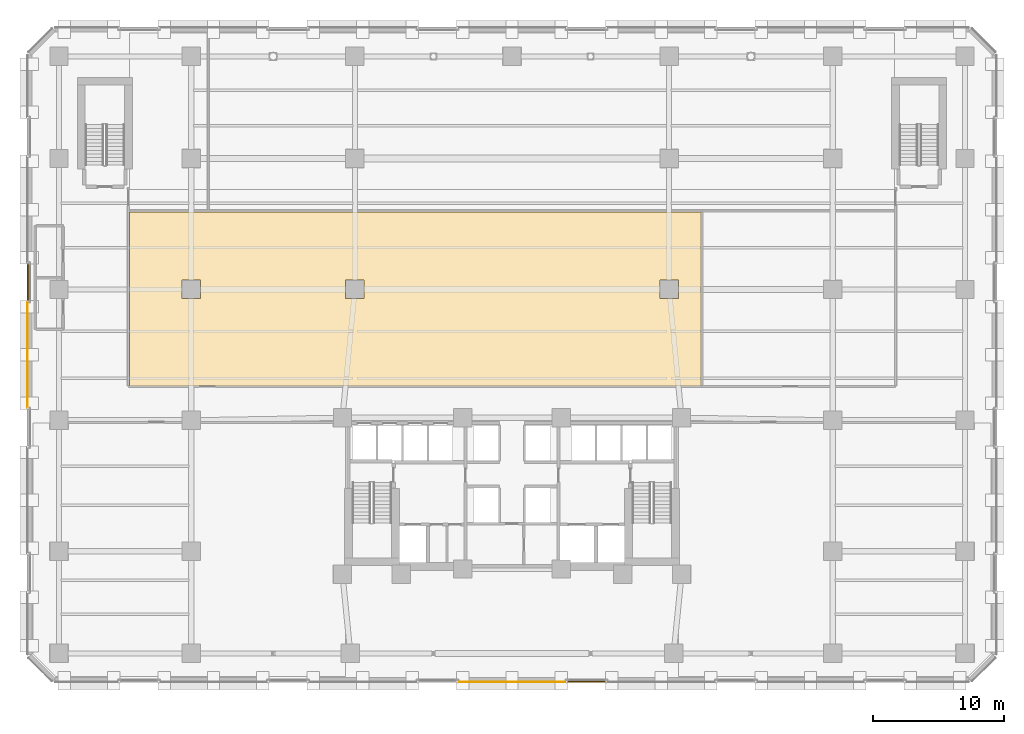
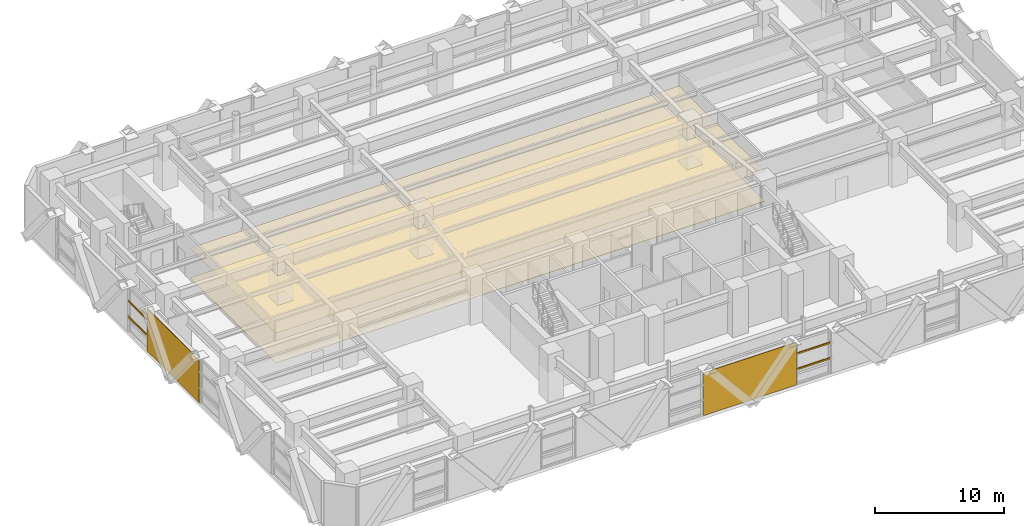
# One storey, part 21 of 26: 4 coverings, 4 shading devices.
"""IFC4 building model written with IfcOpenShell, lengths in metres."""

import ifcopenshell
import ifcopenshell.guid

model = None  # the IFC model being written
_history = None  # IfcOwnerHistory: only IFC2X3 demands one
_inside = {}  # id of a spatial element -> (the spatial element, [elements in it])
_under = {}  # id of a project, library or spatial element -> (it, [spatial elements below it])
_declared = {}  # id of a project -> (the project, [libraries it declares])
_typed = {}  # id of a type object -> (the type object, [elements of that type])
_made_of = {}  # id of a material, layer set ... -> (it, [elements and type objects made of it])


def new_model(schema):
    """Start an empty IFC model of exactly this schema.

    Asked for "IFC4X3", IfcOpenShell would pick the latest addendum, in which some entities
    have other attributes; the version numbers below select the first issue.
    IFC2X3 requires an IfcOwnerHistory on every rooted entity: one is made here for all.
    """
    global model, _history
    if schema == "IFC4X3":
        model = ifcopenshell.file(schema_version=(4, 3, 0, 0))
    else:
        model = ifcopenshell.file(schema=schema)
    _inside.clear()
    _under.clear()
    _declared.clear()
    _typed.clear()
    _made_of.clear()
    _history = None
    if model.schema == "IFC2X3":
        org = make("IfcOrganization", Name="unknown")
        user = make(
            "IfcPersonAndOrganization",
            ThePerson=make("IfcPerson", FamilyName="unknown"),
            TheOrganization=org,
        )
        app = make(
            "IfcApplication",
            ApplicationDeveloper=org,
            Version="unknown",
            ApplicationFullName="unknown",
            ApplicationIdentifier="unknown",
        )
        _history = make(
            "IfcOwnerHistory",
            OwningUser=user,
            OwningApplication=app,
            ChangeAction="ADDED",
            CreationDate=0,
        )
    return model


def make(cls, **values):
    """One entity of the class cls with the attributes given. An attribute that is None is left unset."""
    return model.create_entity(
        cls, **{name: value for name, value in values.items() if value is not None}
    )


def rooted(cls, **values):
    """An entity with a GlobalId (a new one), such as an element, a storey or a relation."""
    return make(cls, GlobalId=ifcopenshell.guid.new(), OwnerHistory=_history, **values)


def si_unit(unit_type, name, prefix=None):
    """IfcSIUnit, for example si_unit("LENGTHUNIT", "METRE", prefix="MILLI")."""
    return make("IfcSIUnit", UnitType=unit_type, Prefix=prefix, Name=name)


def assignment(units):
    """IfcUnitAssignment: the units of a project."""
    return None if units is None else make("IfcUnitAssignment", Units=units)


def point(xyz):
    """IfcCartesianPoint."""
    return None if xyz is None else make("IfcCartesianPoint", Coordinates=xyz)


def direction(xyz):
    """IfcDirection."""
    return None if xyz is None else make("IfcDirection", DirectionRatios=xyz)


def frame(location, z_axis=None, x_axis=None):
    """IfcAxis2Placement3D, a coordinate frame: its origin and axes. An axis left out is left unset."""
    return make(
        "IfcAxis2Placement3D",
        Location=point(location),
        Axis=direction(z_axis),
        RefDirection=direction(x_axis),
    )


def frame_2d(location, x_axis=None):
    """IfcAxis2Placement2D, a coordinate frame in the plane: its origin and x axis."""
    return make(
        "IfcAxis2Placement2D", Location=point(location), RefDirection=direction(x_axis)
    )


def origin():
    """The frame at (0, 0, 0) with its axes left unset."""
    return frame((0.0, 0.0, 0.0))


def origin_2d():
    """The frame at (0, 0) in the plane with its x axis left unset."""
    return frame_2d((0.0, 0.0))


def place(relative_to, where):
    """IfcLocalPlacement: puts the frame where relative to a parent placement (None: the world)."""
    return make(
        "IfcLocalPlacement", PlacementRelTo=relative_to, RelativePlacement=where
    )


def context(
    kind, dimensions, precision=None, world=None, true_north=None, identifier=None
):
    """IfcGeometricRepresentationContext, for example the 3D "Model" context."""
    return make(
        "IfcGeometricRepresentationContext",
        ContextIdentifier=identifier,
        ContextType=kind,
        CoordinateSpaceDimension=dimensions,
        Precision=precision,
        WorldCoordinateSystem=world,
        TrueNorth=true_north,
    )


def subcontext(parent, identifier, kind, view, scale=None):
    """IfcGeometricRepresentationSubContext, for example "Body" below "Model"."""
    return make(
        "IfcGeometricRepresentationSubContext",
        ContextIdentifier=identifier,
        ContextType=kind,
        ParentContext=parent,
        TargetScale=scale,
        TargetView=view,
    )


def project(units=None, contexts=None):
    """IfcProject with its units and contexts."""
    return rooted(
        "IfcProject",
        Name="project",
        RepresentationContexts=contexts,
        UnitsInContext=assignment(units),
    )


def spatial(cls, under=None, at=None, **own):
    """A site, building, storey or space (cls), placed at a placement, below another one or the project."""
    s = rooted(cls, ObjectPlacement=at, **own)
    if under is not None:
        _under.setdefault(under.id(), (under, []))[1].append(s)
    return s


def polyline(points):
    """IfcPolyline through the points."""
    return make("IfcPolyline", Points=[point(p) for p in points])


def profile(cls, at=None, kind="AREA", **sizes):
    """A parametric profile (cls). Its sizes go by their IFC names, for example OverallWidth=200.0."""
    return make(cls, ProfileType=kind, Position=at, **sizes)


def rectangle(**sizes):
    """IfcRectangleProfileDef."""
    return profile("IfcRectangleProfileDef", **sizes)


def outline(outer, holes=None, kind="AREA"):
    """IfcArbitraryClosedProfileDef: a profile drawn as a closed curve; with holes, ...WithVoids."""
    if holes is None:
        return make("IfcArbitraryClosedProfileDef", ProfileType=kind, OuterCurve=outer)
    return make(
        "IfcArbitraryProfileDefWithVoids",
        ProfileType=kind,
        OuterCurve=outer,
        InnerCurves=holes,
    )


def extrude(swept, where, along, depth):
    """IfcExtrudedAreaSolid: the profile swept, set in the frame where, extruded along a direction by depth."""
    return make(
        "IfcExtrudedAreaSolid",
        SweptArea=swept,
        Position=where,
        ExtrudedDirection=direction(along),
        Depth=depth,
    )


def shape(context_of_items, identifier, shape_type, items):
    """IfcShapeRepresentation: the items that make up one representation, for example the "Body"."""
    return make(
        "IfcShapeRepresentation",
        ContextOfItems=context_of_items,
        RepresentationIdentifier=identifier,
        RepresentationType=shape_type,
        Items=items,
    )


def material(Name=None, Category=None):
    """IfcMaterial."""
    return make("IfcMaterial", Name=Name, Category=Category)


def layer(
    of_material, thickness, ventilated=None, Name=None, Category=None, Priority=None
):
    """IfcMaterialLayer: one layer of a wall or slab, of a material (None: an air gap)."""
    return make(
        "IfcMaterialLayer",
        Material=of_material,
        LayerThickness=thickness,
        IsVentilated=ventilated,
        Name=Name,
        Category=Category,
        Priority=Priority,
    )


def layer_set(layers, Name=None):
    """IfcMaterialLayerSet."""
    return make("IfcMaterialLayerSet", MaterialLayers=layers, LayerSetName=Name)


def material_profile(
    of_material, cross_section, Name=None, Category=None, Priority=None
):
    """IfcMaterialProfile: a cross section and its material."""
    return make(
        "IfcMaterialProfile",
        Name=Name,
        Material=of_material,
        Profile=cross_section,
        Priority=Priority,
        Category=Category,
    )


def profile_set(profiles, Name=None, composite=None):
    """IfcMaterialProfileSet."""
    return make(
        "IfcMaterialProfileSet",
        Name=Name,
        MaterialProfiles=profiles,
        CompositeProfile=composite,
    )


def made_of(thing, what):
    """Note that an element or type object is made of a material, layer set ...; save() writes the relation."""
    if what is not None:
        _made_of.setdefault(what.id(), (what, []))[1].append(thing)
    return thing


def type_object(cls, material=None, **own):
    """A type object (cls), such as IfcWallType, which elements share."""
    return made_of(rooted(cls, **own), material)


def element(
    cls,
    number,
    at=None,
    inside=None,
    cuts=None,
    type_object=None,
    material=None,
    context=None,
    identifier="Body",
    shape_type=None,
    held_by="IfcProductDefinitionShape",
    body=None,
    shapes=None,
    **own,
):
    """One element of the class cls, such as IfcWall. Its Tag is "e" and its number.

    at: its placement. inside: the storey or other place that contains it. cuts: it is an
    opening in that element (IfcRelVoidsElement). A single representation is given by context,
    identifier, shape_type and body (its items); several are given by shapes. held_by: the class
    of the entity that holds the representations. save() writes the other relations.
    """
    e = rooted(cls, Tag="e%d" % number, ObjectPlacement=at, **own)
    if body is not None:
        shapes = [shape(context, identifier, shape_type, body)]
    if shapes is not None:
        e.Representation = make(held_by, Representations=shapes)
    if inside is not None:
        _inside.setdefault(inside.id(), (inside, []))[1].append(e)
    if cuts is not None:
        rooted(
            "IfcRelVoidsElement", RelatingBuildingElement=cuts, RelatedOpeningElement=e
        )
    if type_object is not None:
        _typed.setdefault(type_object.id(), (type_object, []))[1].append(e)
    return made_of(e, material)


def aggregate(whole, parts):
    """IfcRelAggregates: a whole, such as a stair, and the parts it consists of."""
    return rooted("IfcRelAggregates", RelatingObject=whole, RelatedObjects=parts)


def save(model, path):
    """Write the relations noted so far, then the file.

    IfcRelAggregates (storeys below a building ...), IfcRelContainedInSpatialStructure (elements
    in a storey), IfcRelDefinesByType, IfcRelAssociatesMaterial and IfcRelDeclares: one each for
    every whole, place, type object, material and project.
    """
    for whole, parts in _under.values():
        aggregate(whole, parts)
    for where, things in _inside.values():
        rooted(
            "IfcRelContainedInSpatialStructure",
            RelatedElements=things,
            RelatingStructure=where,
        )
    for kind, things in _typed.values():
        rooted("IfcRelDefinesByType", RelatedObjects=things, RelatingType=kind)
    for what, things in _made_of.values():
        rooted("IfcRelAssociatesMaterial", RelatedObjects=things, RelatingMaterial=what)
    for by, libraries in _declared.values():
        rooted("IfcRelDeclares", RelatingContext=by, RelatedDefinitions=libraries)
    model.write(path)


model = new_model("IFC4")

# Units and contexts
model_context = context("Model", 3, precision=1e-05, world=origin(), true_north=direction((0.0, 1.0)))
body_context = subcontext(model_context, "Body", "Model", "MODEL_VIEW")
ifc_project = project(units=[si_unit("LENGTHUNIT", "METRE"), si_unit("AREAUNIT", "SQUARE_METRE"), si_unit("VOLUMEUNIT", "CUBIC_METRE"), si_unit("PLANEANGLEUNIT", "RADIAN"), si_unit("MASSUNIT", "GRAM", prefix="KILO")], contexts=[model_context])

# Site, building, storey
site_placement = place(None, origin())
site = spatial("IfcSite", under=ifc_project, at=site_placement, CompositionType="ELEMENT")
building_placement = place(site_placement, origin())
building = spatial("IfcBuilding", under=site, at=building_placement, Name="Quenlor Broadcast Tower", CompositionType="ELEMENT")
storey_placement = place(building_placement, frame((0.0, 0.0, 18.5)))
storey = spatial("IfcBuildingStorey", under=building, at=storey_placement, Name="L04", CompositionType="ELEMENT", Elevation=18.5)

# Covering
ifc_material_1 = material(Name="Acoustic Mineral Fibre Board", Category="other")
ifc_layer_1 = layer(ifc_material_1, 0.02490234375)
ifc_layer_set_1 = layer_set([ifc_layer_1], Name="Acoustic Perforated Mineral Tile Ceiling 25")
covering_type_1 = type_object("IfcCoveringType", Name="Acoustic Perforated Mineral Tile Ceiling 25", PredefinedType="CEILING", material=ifc_layer_set_1)
covering_1_placement = place(storey_placement, frame((0.0, 0.0, 2.804931640625)))
element("IfcCovering", 1, at=covering_1_placement, inside=storey, type_object=covering_type_1, Name="L04 Acoustic Ceiling L04-34", PredefinedType="CEILING", context=body_context, shape_type="SweptSolid", body=[
    extrude(outline(polyline([(14.419921875, -2.360107421875), (-29.199951171875, -2.360107421875), (-29.199951171875, 10.919921875), (14.419921875, 10.919921875), (14.419921875, -2.360107421875)]), holes=[polyline([(-23.7919921875, 4.2919921875), (-23.7919921875, 5.7080078125), (-25.2080078125, 5.7080078125), (-25.2080078125, 4.2919921875), (-23.7919921875, 4.2919921875)]), polyline([(12.7080078125, 5.7080078125), (11.2919921875, 5.7080078125), (11.2919921875, 4.2919921875), (12.7080078125, 4.2919921875), (12.7080078125, 5.7080078125)]), polyline([(-11.2919921875, 4.2919921875), (-11.2919921875, 5.7080078125), (-12.7080078125, 5.7080078125), (-12.7080078125, 4.2919921875), (-11.2919921875, 4.2919921875)])]), origin(), (0.0, 0.0, 1.0), 0.025146484375),
])

# Shading devices
ifc_material_2 = material(Name="Architectural Terracotta Ceramic", Category="masonry")
ifc_material_profile = material_profile(ifc_material_2, rectangle(XDim=0.090087890625, YDim=0.139892578125, at=origin_2d()))
ifc_profile_set = profile_set([ifc_material_profile], Name="Architectural Terracotta Ceramic BAG90x140")
shading_device_type = type_object("IfcShadingDeviceType", Name="Copper Terracotta Baguette Solar Screen 140", PredefinedType="USERDEFINED", material=ifc_profile_set)
for number, where, z_axis, x_axis, name in (
    (2, (7.19384765625, -24.972900390625, 1.46875), (-1.0, 0.0, 0.0), (0.0, -1.0, 0.0), "L04 Terracotta Baguette Screen 1"),
    (3, (7.19384765625, -24.972900390625, 2.9375), (-1.0, 0.0, 0.0), (0.0, -1.0, 0.0), "L04 Terracotta Baguette Screen 2"),
):
    element("IfcShadingDevice", number, at=place(storey_placement, frame(where, z_axis=z_axis, x_axis=x_axis)), inside=storey, type_object=shading_device_type, Name=name, ObjectType="BAGUETTE", PredefinedType="USERDEFINED", context=body_context, shape_type="SweptSolid", body=[
        extrude(rectangle(XDim=0.090087890625, YDim=0.139892578125, at=origin_2d()), origin(), (0.0, 0.0, 1.0), 2.98779296875),
    ])
for number, where, z_axis, x_axis, name in (
    (4, (-36.972900390625, 4.1064453125, 1.46875), (0.0, 1.0, 0.0), (-1.0, 0.0, 0.0), "L04 Terracotta Baguette Screen 1"),
    (5, (-36.972900390625, 4.1064453125, 2.9375), (0.0, 1.0, 0.0), (-1.0, 0.0, 0.0), "L04 Terracotta Baguette Screen 2"),
):
    element("IfcShadingDevice", number, at=place(storey_placement, frame(where, z_axis=z_axis, x_axis=x_axis)), inside=storey, type_object=shading_device_type, Name=name, ObjectType="BAGUETTE", PredefinedType="USERDEFINED", context=body_context, shape_type="SweptSolid", body=[
        extrude(rectangle(XDim=0.090087890625, YDim=0.139892578125, at=origin_2d()), origin(), (0.0, 0.0, 1.0), 2.88720703125),
    ])

# Coverings
ifc_material_3 = material(Name="Architectural Terracotta Ceramic", Category="masonry")
ifc_layer_2 = layer(ifc_material_3, 0.044921875)
ifc_layer_set_2 = layer_set([ifc_layer_2], Name="Fluted Terracotta Rainscreen Cladding Panel")
covering_type_2 = type_object("IfcCoveringType", Name="Fluted Terracotta Rainscreen Cladding Panel", PredefinedType="CLADDING", material=ifc_layer_set_2)
covering_2_placement = place(storey_placement, frame((0.0, 0.0, 0.02001953125)))
element("IfcCovering", 6, at=covering_2_placement, inside=storey, type_object=covering_type_2, Name="L04 Terracotta Rainscreen Cladding L04-S-FULL-SP4", PredefinedType="CLADDING", context=body_context, shape_type="SweptSolid", body=[
    extrude(outline(polyline([(4.135009765625, -24.971923828125), (-4.135009765625, -24.971923828125), (-4.135009765625, -25.01708984375), (4.135009765625, -25.01708984375), (4.135009765625, -24.971923828125)])), origin(), (0.0, 0.0, 1.0), 4.0400390625),
])
covering_3_placement = place(storey_placement, frame((0.0, 0.0, 0.02001953125)))
element("IfcCovering", 7, at=covering_3_placement, inside=storey, type_object=covering_type_2, Name="L04 Terracotta Rainscreen Cladding L04-W-FULL-SP3", PredefinedType="CLADDING", context=body_context, shape_type="SweptSolid", body=[
    extrude(outline(polyline([(-36.971923828125, -4.035400390625), (-36.971923828125, 4.035400390625), (-37.01708984375, 4.035400390625), (-37.01708984375, -4.035400390625), (-36.971923828125, -4.035400390625)])), origin(), (0.0, 0.0, 1.0), 4.0400390625),
])
ifc_material_4 = material(Name="Terrazzo Stone Finish", Category="masonry")
ifc_layer_3 = layer(ifc_material_4, 0.02001953125)
ifc_layer_set_3 = layer_set([ifc_layer_3], Name="Polished Sandstone Terrazzo Flooring 20")
covering_type_3 = type_object("IfcCoveringType", Name="Polished Sandstone Terrazzo Flooring 20", PredefinedType="FLOORING", material=ifc_layer_set_3)
covering_4_placement = place(storey_placement, origin())
element("IfcCovering", 8, at=covering_4_placement, inside=storey, type_object=covering_type_3, Name="L04 Terrazzo Flooring L04-34", PredefinedType="FLOORING", context=body_context, shape_type="SweptSolid", body=[
    extrude(outline(polyline([(14.419921875, -2.360107421875), (-29.199951171875, -2.360107421875), (-29.199951171875, 10.919921875), (14.419921875, 10.919921875), (14.419921875, -2.360107421875)]), holes=[polyline([(-23.7919921875, 4.2919921875), (-23.7919921875, 5.7080078125), (-25.2080078125, 5.7080078125), (-25.2080078125, 4.2919921875), (-23.7919921875, 4.2919921875)]), polyline([(12.7080078125, 5.7080078125), (11.2919921875, 5.7080078125), (11.2919921875, 4.2919921875), (12.7080078125, 4.2919921875), (12.7080078125, 5.7080078125)]), polyline([(-11.2919921875, 4.2919921875), (-11.2919921875, 5.7080078125), (-12.7080078125, 5.7080078125), (-12.7080078125, 4.2919921875), (-11.2919921875, 4.2919921875)])]), origin(), (0.0, 0.0, 1.0), 0.02001953125),
])

save(model, "model.ifc")
